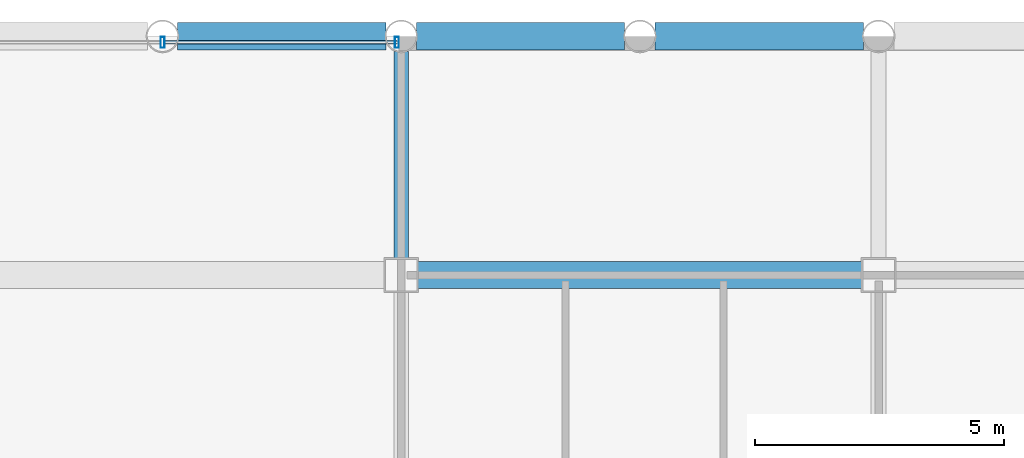
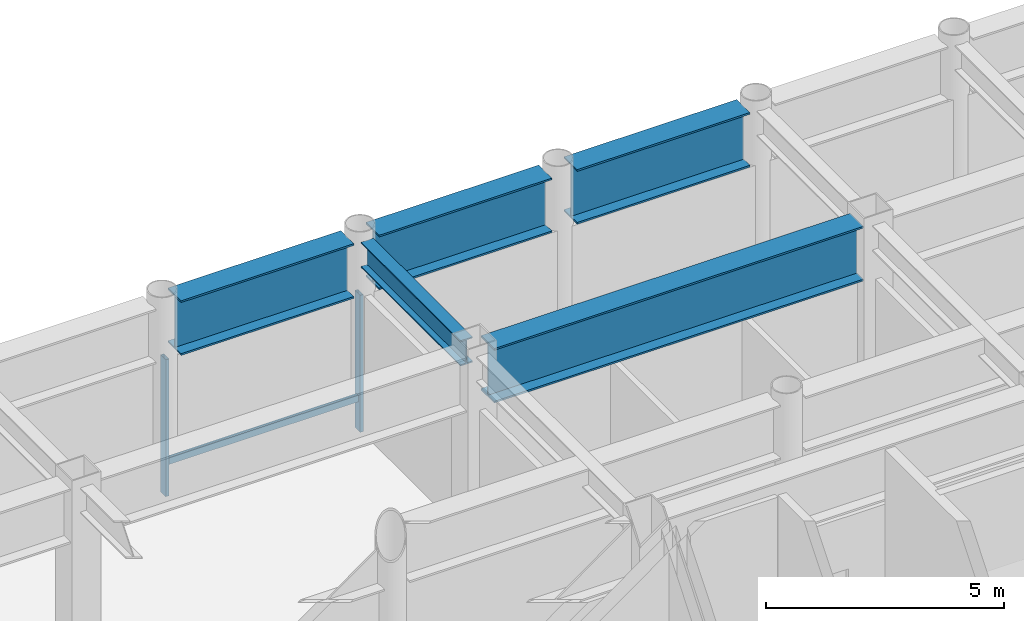
# One storey, part 12 of 20: 5 beams, 3 members, 1 element without a shape of its own.
"""IFC4 building model written with IfcOpenShell, lengths in metres."""

from ifc_helpers import new_model, si_unit, direction, frame, origin, origin_2d, place, context, subcontext, project, spatial, hollow_rectangle, i_section, extrude, material, layer, layer_set, material_profile, profile_set, type_object, element, aggregate, save


model = new_model("IFC4")

# Units and contexts
model_context = context("Model", 3, precision=1e-05, world=origin(), true_north=direction((0.0, 1.0)))
body_context = subcontext(model_context, "Body", "Model", "MODEL_VIEW")
ifc_project = project(units=[si_unit("LENGTHUNIT", "METRE"), si_unit("AREAUNIT", "SQUARE_METRE"), si_unit("VOLUMEUNIT", "CUBIC_METRE"), si_unit("PLANEANGLEUNIT", "RADIAN"), si_unit("MASSUNIT", "GRAM", prefix="KILO")], contexts=[model_context])

# Site, building, storey
site_placement = place(None, origin())
site = spatial("IfcSite", under=ifc_project, at=site_placement, CompositionType="ELEMENT")
building_placement = place(site_placement, origin())
building = spatial("IfcBuilding", under=site, at=building_placement, Name="Kallvorn Hotel Tower", CompositionType="ELEMENT")
storey_placement = place(building_placement, frame((0.0, 0.0, 180.300048828125)))
storey = spatial("IfcBuildingStorey", under=building, at=storey_placement, Name="L45", CompositionType="ELEMENT", Elevation=180.300048828125)

# Beams
ifc_material_1 = material(Name="Structural steel S355JR", Category="steel")
ifc_material_profile_1 = material_profile(ifc_material_1, i_section(OverallWidth=0.300048828125, OverallDepth=0.64990234375, WebThickness=0.01611328125, FlangeThickness=0.031005859375, at=origin_2d()), Name="HE 650 B")
ifc_profile_set_1 = profile_set([ifc_material_profile_1], Name="Structural steel S355JR")
beam_type_1 = type_object("IfcBeamType", Name="BM_HE650B", PredefinedType="BEAM", material=ifc_profile_set_1)
beam_1_placement = place(storey_placement, frame((4.800048828125, 14.72509765625, 4.625), z_axis=(0.0, 1.0, 0.0), x_axis=(-1.0, 0.0, 0.0)))
element("IfcBeam", 1, at=beam_1_placement, inside=storey, type_object=beam_type_1, Name="L46 Primary Y-Girder 118", PredefinedType="BEAM", context=body_context, shape_type="SweptSolid", body=[
    extrude(i_section(OverallWidth=0.300048828125, OverallDepth=0.64990234375, WebThickness=0.01611328125, FlangeThickness=0.031005859375, at=origin_2d()), origin(), (0.0, 0.0, 1.0), 4.169921875),
])
ifc_material_2 = material(Name="Structural steel S355JR", Category="steel")
ifc_material_profile_2 = material_profile(ifc_material_2, i_section(OverallWidth=0.550048828125, OverallDepth=1.39990234375, WebThickness=0.02490234375, FlangeThickness=0.044921875, at=origin_2d()), Name="PG 1400x550x25x45")
ifc_profile_set_2 = profile_set([ifc_material_profile_2], Name="Structural steel S355JR")
beam_type_2 = type_object("IfcBeamType", Name="BM_PG_1400", PredefinedType="BEAM", material=ifc_profile_set_2)
beam_2_placement = place(storey_placement, frame((5.125, 14.39990234375, 4.25), z_axis=(1.0, 0.0, 0.0), x_axis=(0.0, 1.0, 0.0)))
element("IfcBeam", 2, at=beam_2_placement, inside=storey, type_object=beam_type_2, Name="L46 Primary X-Girder 57", PredefinedType="BEAM", context=body_context, shape_type="SweptSolid", body=[
    extrude(i_section(OverallWidth=0.550048828125, OverallDepth=1.39990234375, WebThickness=0.02490234375, FlangeThickness=0.044921875, at=origin_2d()), origin(), (0.0, 0.0, 1.0), 8.949951171875),
])
beam_3_placement = place(storey_placement, frame((0.304931640625, 19.199951171875, 4.25), z_axis=(1.0, 0.0, 0.0), x_axis=(0.0, 1.0, 0.0)))
element("IfcBeam", 3, at=beam_3_placement, inside=storey, type_object=beam_type_2, Name="L46 Primary X-Girder 67", PredefinedType="BEAM", context=body_context, shape_type="SweptSolid", body=[
    extrude(i_section(OverallWidth=0.550048828125, OverallDepth=1.39990234375, WebThickness=0.02490234375, FlangeThickness=0.044921875, at=origin_2d()), origin(), (0.0, 0.0, 1.0), 4.190185546875),
])
for number, where, z_axis, x_axis, name in (
    (4, (5.10498046875, 19.199951171875, 4.25), (1.0, 0.0, 0.0), (0.0, 1.0, 0.0), "L46 Primary X-Girder 68"),
    (5, (9.905029296875, 19.199951171875, 4.25), (1.0, 0.0, 0.0), (0.0, 1.0, 0.0), "L46 Primary X-Girder 69"),
):
    element("IfcBeam", number, at=place(storey_placement, frame(where, z_axis=z_axis, x_axis=x_axis)), inside=storey, type_object=beam_type_2, Name=name, PredefinedType="BEAM", context=body_context, shape_type="SweptSolid", body=[
        extrude(i_section(OverallWidth=0.550048828125, OverallDepth=1.39990234375, WebThickness=0.02490234375, FlangeThickness=0.044921875, at=origin_2d()), origin(), (0.0, 0.0, 1.0), 4.18994140625),
    ])

# Curtain wall, members
ifc_material_3 = material(Name="Thermally broken black-anodised aluminium AA 6063-T6", Category="aluminium")
ifc_layer = layer(ifc_material_3, 0.22998046875)
ifc_layer_set = layer_set([ifc_layer], Name="CW_SYS_5_HOTEL_HIGH")
curtain_wall_type = type_object("IfcCurtainWallType", Name="CW_SYS_5_HOTEL_HIGH", PredefinedType="USERDEFINED", material=ifc_layer_set)
curtain_wall_placement = place(storey_placement, origin())
curtain_wall = element("IfcCurtainWall", 6, at=curtain_wall_placement, inside=storey, type_object=curtain_wall_type, Name="L45 Dark-Glass Curtain Wall CW-L45-NC", ObjectType="UNITISED CURTAIN WALL", PredefinedType="USERDEFINED")
ifc_material_4 = material(Name="Thermally broken black-anodised aluminium AA 6063-T6", Category="aluminium")
ifc_material_profile_3 = material_profile(ifc_material_4, hollow_rectangle(XDim=0.080078125, YDim=0.219970703125, WallThickness=0.0048828125, at=origin_2d()), Name="MUL 220x80")
ifc_profile_set_3 = profile_set([ifc_material_profile_3], Name="Thermally broken black-anodised aluminium AA 6063-T6")
member_type_1 = type_object("IfcMemberType", Name="CW_MULLION_220x80", PredefinedType="MULLION", material=ifc_profile_set_3)
member_1_placement = place(storey_placement, frame((0.0, 19.080078125, 0.02001953125), z_axis=(0.0, 0.0, 1.0), x_axis=(1.0, 0.0, 0.0)))
member_1 = element("IfcMember", 7, at=member_1_placement, type_object=member_type_1, Name="CW-L45-NC Mullion 01", PredefinedType="MULLION", context=body_context, shape_type="SweptSolid", body=[
    extrude(hollow_rectangle(XDim=0.080078125, YDim=0.219970703125, WallThickness=0.0048828125, at=origin_2d()), origin(), (0.0, 0.0, 1.0), 3.510009765625),
])
member_2_placement = place(storey_placement, frame((4.7099609375, 19.080078125, 0.02001953125), z_axis=(0.0, 0.0, 1.0), x_axis=(1.0, 0.0, 0.0)))
member_2 = element("IfcMember", 8, at=member_2_placement, type_object=member_type_1, Name="CW-L45-NC Mullion 02", PredefinedType="MULLION", context=body_context, shape_type="SweptSolid", body=[
    extrude(hollow_rectangle(XDim=0.080078125, YDim=0.219970703125, WallThickness=0.0048828125, at=origin_2d()), origin(), (0.0, 0.0, 1.0), 3.510009765625),
])
ifc_material_5 = material(Name="Thermally broken black-anodised aluminium AA 6063-T6", Category="aluminium")
ifc_material_profile_4 = material_profile(ifc_material_5, hollow_rectangle(XDim=0.070068359375, YDim=0.179931640625, WallThickness=0.00390625, at=origin_2d()), Name="TRN 180x70")
ifc_profile_set_4 = profile_set([ifc_material_profile_4], Name="Thermally broken black-anodised aluminium AA 6063-T6")
member_type_2 = type_object("IfcMemberType", Name="CW_TRANSOM_180x70", PredefinedType="USERDEFINED", material=ifc_profile_set_4)
member_3_placement = place(storey_placement, frame((0.0400390625, 19.080078125, 0.849853515625), z_axis=(1.0, 0.0, 0.0), x_axis=(0.0, 1.0, 0.0)))
member_3 = element("IfcMember", 9, at=member_3_placement, type_object=member_type_2, Name="CW-L45-NC Transom 01M", ObjectType="TRANSOM", PredefinedType="USERDEFINED", context=body_context, shape_type="SweptSolid", body=[
    extrude(hollow_rectangle(XDim=0.070068359375, YDim=0.179931640625, WallThickness=0.00390625, at=origin_2d()), origin(), (0.0, 0.0, 1.0), 4.669921875),
])
aggregate(curtain_wall, [member_1, member_2, member_3])

save(model, "model.ifc")
